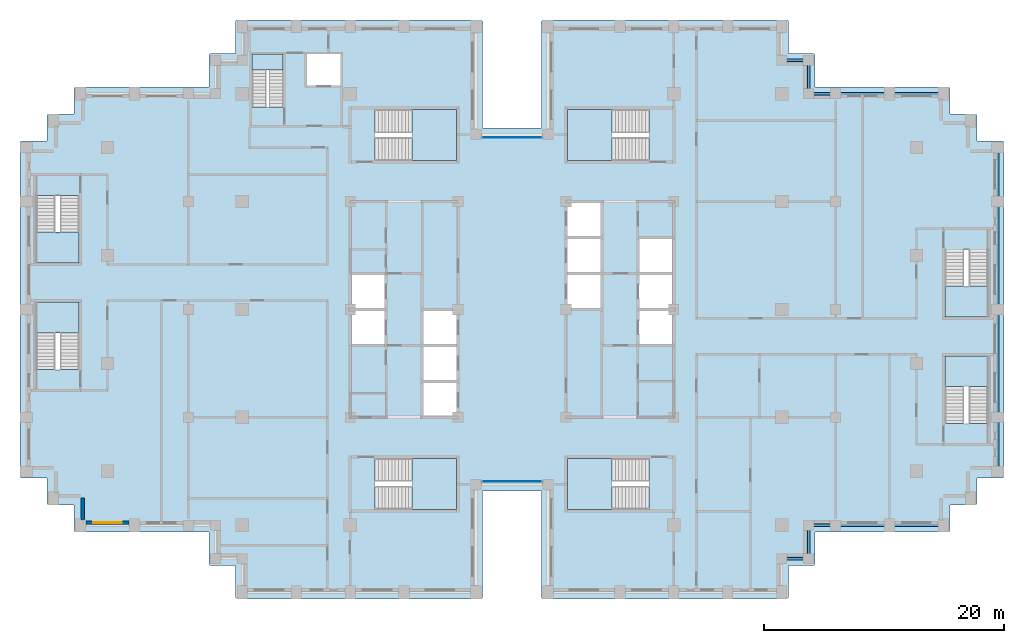
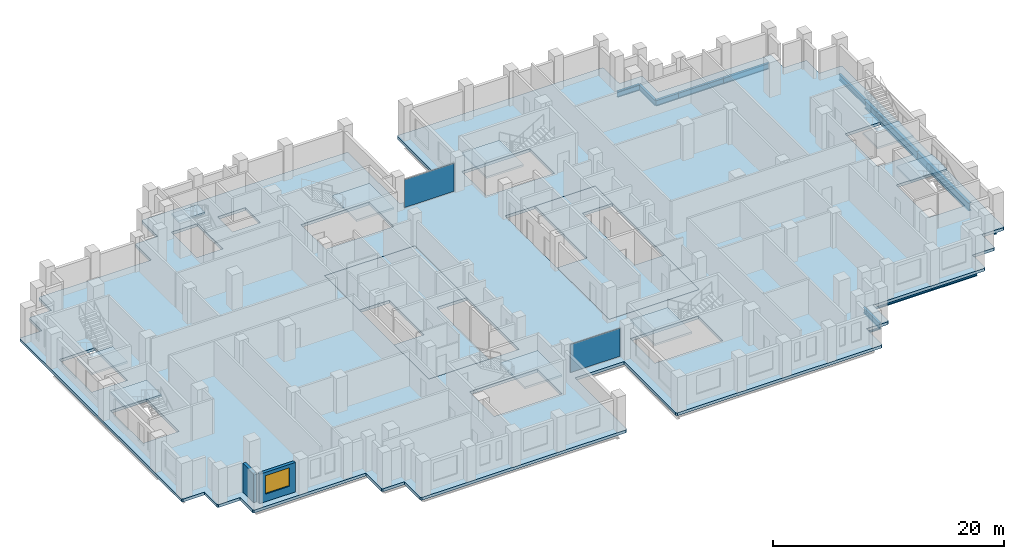
# One storey, part 5 of 15: 14 beams, 12 slabs, 2 plates, 2 walls, 1 window, 1 opening, 11 elements without a shape of their own.
"""IFC4 building model written with IfcOpenShell, lengths in metres."""

from ifc_helpers import new_model, si_unit, direction, frame, frame_2d, origin, origin_2d, place, context, subcontext, project, spatial, polyline, rectangle, i_section, outline, extrude, material, layer, layer_set, material_profile, profile_set, type_object, element, fill, aggregate, save


model = new_model("IFC4")

# Units and contexts
model_context = context("Model", 3, precision=1e-05, world=origin(), true_north=direction((0.0, 1.0)))
body_context = subcontext(model_context, "Body", "Model", "MODEL_VIEW")
ifc_project = project(units=[si_unit("LENGTHUNIT", "METRE"), si_unit("AREAUNIT", "SQUARE_METRE"), si_unit("VOLUMEUNIT", "CUBIC_METRE"), si_unit("PLANEANGLEUNIT", "RADIAN"), si_unit("MASSUNIT", "GRAM", prefix="KILO")], contexts=[model_context])

# Site, building, storey
site_placement = place(None, origin())
site = spatial("IfcSite", under=ifc_project, at=site_placement, CompositionType="ELEMENT")
building_placement = place(site_placement, origin())
building = spatial("IfcBuilding", under=site, at=building_placement, Name="Corbelhall Arena Tower", CompositionType="ELEMENT")
storey_placement = place(building_placement, frame((0.0, 0.0, 138.0)))
storey = spatial("IfcBuildingStorey", under=building, at=storey_placement, Name="L26", CompositionType="ELEMENT", Elevation=138.0)

# Beams
ifc_material_1 = material(Name="Steel ASTM A992 Gr50", Category="steel")
ifc_material_profile_1 = material_profile(ifc_material_1, i_section(OverallWidth=0.22900390625, OverallDepth=0.612060546875, WebThickness=0.011962890625, FlangeThickness=0.01953125, at=origin_2d()))
ifc_profile_set_1 = profile_set([ifc_material_profile_1], Name="Steel ASTM A992 Gr50")
beam_type_1 = type_object("IfcBeamType", Name="ST-SPANDREL-W24x84", PredefinedType="SPANDREL", material=ifc_profile_set_1)
for number, where, z_axis, x_axis, name in (
    (1, (40.5, 13.5, -0.60595703125), (0.0, -1.0, 0.0), (1.0, 0.0, 0.0), "Beam SP 10"),
    (2, (40.5, -9.0, -0.60595703125), (0.0, -1.0, 0.0), (1.0, 0.0, 0.0), "Beam SP 11"),
    (3, (31.5, 18.0, -0.60595703125), (1.0, 0.0, 0.0), (0.0, 1.0, 0.0), "Beam SP 12"),
    (4, (31.5, -18.0, -0.60595703125), (-1.0, 0.0, 0.0), (0.0, -1.0, 0.0), "Beam SP 13"),
    (5, (36.0, -18.0, -0.60595703125), (-1.0, 0.0, 0.0), (0.0, -1.0, 0.0), "Beam SP 14"),
    (6, (27.0, 18.0, -0.60595703125), (1.0, 0.0, 0.0), (0.0, 1.0, 0.0), "Beam SP 15"),
):
    element("IfcBeam", number, at=place(storey_placement, frame(where, z_axis=z_axis, x_axis=x_axis)), inside=storey, type_object=beam_type_1, Name=name, PredefinedType="SPANDREL", context=body_context, shape_type="SweptSolid", body=[
        extrude(i_section(OverallWidth=0.22900390625, OverallDepth=0.612060546875, WebThickness=0.011962890625, FlangeThickness=0.01953125, at=origin_2d()), origin(), (0.0, 0.0, 1.0), 4.5),
    ])
for number, where, z_axis, x_axis, name in (
    (7, (27.0, -18.0, -0.60595703125), (-1.0, 0.0, 0.0), (0.0, -1.0, 0.0), "Beam SP 16"),
    (8, (22.5, 20.800048828125, -0.60595703125), (1.0, 0.0, 0.0), (0.0, 1.0, 0.0), "Beam SP 43"),
):
    element("IfcBeam", number, at=place(storey_placement, frame(where, z_axis=z_axis, x_axis=x_axis)), inside=storey, type_object=beam_type_1, Name=name, PredefinedType="SPANDREL", context=body_context, shape_type="SweptSolid", body=[
        extrude(i_section(OverallWidth=0.22900390625, OverallDepth=0.612060546875, WebThickness=0.011962890625, FlangeThickness=0.01953125, at=origin_2d()), origin(), (0.0, 0.0, 1.0), 2.25),
    ])
beam_1_placement = place(storey_placement, frame((24.75, 20.800048828125, -0.60595703125), z_axis=(0.0, -1.0, 0.0), x_axis=(1.0, 0.0, 0.0)))
element("IfcBeam", 9, at=beam_1_placement, inside=storey, type_object=beam_type_1, Name="Beam SP 44", PredefinedType="SPANDREL", context=body_context, shape_type="SweptSolid", body=[
    extrude(i_section(OverallWidth=0.22900390625, OverallDepth=0.612060546875, WebThickness=0.011962890625, FlangeThickness=0.01953125, at=origin_2d()), origin(), (0.0, 0.0, 1.0), 2.800048828125),
])
for number, where, z_axis, x_axis, name in (
    (10, (24.75, 18.0, -0.60595703125), (1.0, 0.0, 0.0), (0.0, 1.0, 0.0), "Beam SP 45"),
    (11, (24.75, -20.800048828125, -0.60595703125), (-1.0, 0.0, 0.0), (0.0, -1.0, 0.0), "Beam SP 50"),
):
    element("IfcBeam", number, at=place(storey_placement, frame(where, z_axis=z_axis, x_axis=x_axis)), inside=storey, type_object=beam_type_1, Name=name, PredefinedType="SPANDREL", context=body_context, shape_type="SweptSolid", body=[
        extrude(i_section(OverallWidth=0.22900390625, OverallDepth=0.612060546875, WebThickness=0.011962890625, FlangeThickness=0.01953125, at=origin_2d()), origin(), (0.0, 0.0, 1.0), 2.25),
    ])
beam_2_placement = place(storey_placement, frame((24.75, -18.0, -0.60595703125), z_axis=(0.0, -1.0, 0.0), x_axis=(1.0, 0.0, 0.0)))
element("IfcBeam", 12, at=beam_2_placement, inside=storey, type_object=beam_type_1, Name="Beam SP 51", PredefinedType="SPANDREL", context=body_context, shape_type="SweptSolid", body=[
    extrude(i_section(OverallWidth=0.22900390625, OverallDepth=0.612060546875, WebThickness=0.011962890625, FlangeThickness=0.01953125, at=origin_2d()), origin(), (0.0, 0.0, 1.0), 2.800048828125),
])
ifc_material_profile_2 = material_profile(ifc_material_1, i_section(OverallWidth=0.2919921875, OverallDepth=0.845703125, WebThickness=0.015380859375, FlangeThickness=0.0244140625, at=origin_2d()))
ifc_profile_set_2 = profile_set([ifc_material_profile_2], Name="Steel ASTM A992 Gr50")
beam_type_2 = type_object("IfcBeamType", Name="ST-SPANDREL-W33x141", PredefinedType="SPANDREL", material=ifc_profile_set_2)
for number, where, z_axis, x_axis, name in (
    (13, (40.5, 0.0, -0.722900390625), (0.0, -1.0, 0.0), (1.0, 0.0, 0.0), "Beam SP 8"),
    (14, (40.5, 9.0, -0.722900390625), (0.0, -1.0, 0.0), (1.0, 0.0, 0.0), "Beam SP 9"),
):
    element("IfcBeam", number, at=place(storey_placement, frame(where, z_axis=z_axis, x_axis=x_axis)), inside=storey, type_object=beam_type_2, Name=name, PredefinedType="SPANDREL", context=body_context, shape_type="SweptSolid", body=[
        extrude(i_section(OverallWidth=0.2919921875, OverallDepth=0.845703125, WebThickness=0.015380859375, FlangeThickness=0.0244140625, at=origin_2d()), origin(), (0.0, 0.0, 1.0), 9.0),
    ])

# Curtain wall, plate
ifc_material_2 = material(Name="Aluminium black anodised", Category="aluminium")
ifc_layer_1 = layer(ifc_material_2, 0.199951171875)
ifc_layer_set_1 = layer_set([ifc_layer_1], Name="EV-CW1 Slot back wall")
curtain_wall_type = type_object("IfcCurtainWallType", Name="EV-CW1 Slot back wall", PredefinedType="NOTDEFINED", material=ifc_layer_set_1)
curtain_wall_1_placement = place(storey_placement, origin())
curtain_wall_1 = element("IfcCurtainWall", 15, at=curtain_wall_1_placement, inside=storey, type_object=curtain_wall_type, Name="Curtain wall CW1", PredefinedType="NOTDEFINED")
ifc_material_3 = material(Name="Glass dark tinted laminated", Category="glass")
ifc_layer_2 = layer(ifc_material_3, 0.028076171875)
ifc_layer_set_2 = layer_set([ifc_layer_2], Name="EV-CW1-PANEL")
plate_type = type_object("IfcPlateType", Name="EV-CW1-PANEL", PredefinedType="CURTAIN_PANEL", material=ifc_layer_set_2)
plate_1_placement = place(storey_placement, frame((0.0, -14.35009765625, 0.0751953125), z_axis=(0.0, 0.0, 1.0), x_axis=(1.0, 0.0, 0.0)))
plate_1 = element("IfcPlate", 16, at=plate_1_placement, type_object=plate_type, Name="CW1 panel 1.1", PredefinedType="CURTAIN_PANEL", context=body_context, shape_type="SweptSolid", body=[
    extrude(rectangle(XDim=4.949951171875, YDim=0.028076171875, at=origin_2d()), origin(), (0.0, 0.0, 1.0), 2.949951171875),
])
aggregate(curtain_wall_1, [plate_1])

curtain_wall_2_placement = place(storey_placement, origin())
curtain_wall_2 = element("IfcCurtainWall", 17, at=curtain_wall_2_placement, inside=storey, type_object=curtain_wall_type, Name="Curtain wall CW1", PredefinedType="NOTDEFINED")
plate_2_placement = place(storey_placement, frame((0.0, 14.35009765625, 0.0751953125), z_axis=(0.0, 0.0, 1.0), x_axis=(-1.0, 0.0, 0.0)))
plate_2 = element("IfcPlate", 18, at=plate_2_placement, type_object=plate_type, Name="CW1 panel 1.1", PredefinedType="CURTAIN_PANEL", context=body_context, shape_type="SweptSolid", body=[
    extrude(rectangle(XDim=4.949951171875, YDim=0.028076171875, at=origin_2d()), origin(), (0.0, 0.0, 1.0), 2.949951171875),
])
aggregate(curtain_wall_2, [plate_2])

# Slabs
ifc_material_4 = material(Name="Concrete C40/50", Category="concrete")
ifc_layer_3 = layer(ifc_material_4, 0.300048828125)
ifc_layer_set_3 = layer_set([ifc_layer_3], Name="IN-SL-CORE")
slab_type_1 = type_object("IfcSlabType", Name="IN-SL-CORE", PredefinedType="FLOOR", material=ifc_layer_set_3)
slab_1_placement = place(storey_placement, frame((0.0, 0.0, -0.300048828125)))
element("IfcSlab", 19, at=slab_1_placement, inside=storey, type_object=slab_type_1, Name="Core floor W", PredefinedType="FLOOR", context=body_context, shape_type="SweptSolid", body=[
    extrude(outline(polyline([(-7.5, 0.0), (-4.5, 0.0), (-4.5, 9.0), (-13.5, 9.0), (-13.5, 3.0), (-10.5, 3.0), (-10.5, 0.0), (-10.5, -3.0), (-13.5, -3.0), (-13.5, -9.0), (-7.5, -9.0), (-7.5, -6.0), (-7.5, -3.0), (-7.5, 0.0)])), origin(), (0.0, 0.0, 1.0), 0.300048828125),
])
slab_2_placement = place(storey_placement, frame((0.0, 0.0, -0.300048828125)))
element("IfcSlab", 20, at=slab_2_placement, inside=storey, type_object=slab_type_1, Name="Core floor E", PredefinedType="FLOOR", context=body_context, shape_type="SweptSolid", body=[
    extrude(outline(polyline([(7.5, 0.0), (4.5, 0.0), (4.5, -9.0), (13.5, -9.0), (13.5, -3.0), (10.5, -3.0), (10.5, 0.0), (10.5, 3.0), (10.5, 6.0), (13.5, 6.0), (13.5, 9.0), (7.5, 9.0), (7.5, 6.0), (7.5, 3.0), (7.5, 0.0)])), origin(), (0.0, 0.0, 1.0), 0.300048828125),
])

# Stair, slab
stair_type = type_object("IfcStairType", Name="IN-ST-TOWER", PredefinedType="HALF_TURN_STAIR", material=ifc_material_4)
stair_1_placement = place(storey_placement, origin())
stair_1 = element("IfcStair", 21, at=stair_1_placement, inside=storey, type_object=stair_type, Name="L26 Exit stair ST1", PredefinedType="HALF_TURN_STAIR")
ifc_layer_4 = layer(ifc_material_4, 0.199951171875)
ifc_layer_set_4 = layer_set([ifc_layer_4], Name="IN-SL-LANDING")
slab_type_2 = type_object("IfcSlabType", Name="IN-SL-LANDING", PredefinedType="LANDING", material=ifc_layer_set_4)
slab_3_placement = place(storey_placement, frame((0.0, 0.0, 1.800048828125)))
slab_3 = element("IfcSlab", 22, at=slab_3_placement, type_object=slab_type_2, Name="ST1 landing 1", PredefinedType="LANDING", context=body_context, shape_type="SweptSolid", body=[
    extrude(outline(polyline([(-8.344970703125, 12.425048828125), (-4.625, 12.425048828125), (-4.625, 16.675048828125), (-8.344970703125, 16.675048828125), (-8.344970703125, 12.425048828125)])), origin(), (0.0, 0.0, 1.0), 0.199951171875),
])
aggregate(stair_1, [slab_3])

stair_2_placement = place(storey_placement, origin())
stair_2 = element("IfcStair", 23, at=stair_2_placement, inside=storey, type_object=stair_type, Name="L26 Exit stair ST2", PredefinedType="HALF_TURN_STAIR")
slab_4_placement = place(storey_placement, frame((0.0, 0.0, 1.800048828125)))
slab_4 = element("IfcSlab", 24, at=slab_4_placement, type_object=slab_type_2, Name="ST2 landing 1", PredefinedType="LANDING", context=body_context, shape_type="SweptSolid", body=[
    extrude(outline(polyline([(-8.344970703125, -16.675048828125), (-4.625, -16.675048828125), (-4.625, -12.425048828125), (-8.344970703125, -12.425048828125), (-8.344970703125, -16.675048828125)])), origin(), (0.0, 0.0, 1.0), 0.199951171875),
])
aggregate(stair_2, [slab_4])

stair_3_placement = place(storey_placement, origin())
stair_3 = element("IfcStair", 25, at=stair_3_placement, inside=storey, type_object=stair_type, Name="L26 Exit stair ST3", PredefinedType="HALF_TURN_STAIR")
slab_5_placement = place(storey_placement, frame((0.0, 0.0, 1.800048828125)))
slab_5 = element("IfcSlab", 26, at=slab_5_placement, type_object=slab_type_2, Name="ST3 landing 1", PredefinedType="LANDING", context=body_context, shape_type="SweptSolid", body=[
    extrude(outline(polyline([(8.344970703125, 16.675048828125), (4.625, 16.675048828125), (4.625, 12.425048828125), (8.344970703125, 12.425048828125), (8.344970703125, 16.675048828125)])), origin(), (0.0, 0.0, 1.0), 0.199951171875),
])
aggregate(stair_3, [slab_5])

stair_4_placement = place(storey_placement, origin())
stair_4 = element("IfcStair", 27, at=stair_4_placement, inside=storey, type_object=stair_type, Name="L26 Exit stair ST4", PredefinedType="HALF_TURN_STAIR")
slab_6_placement = place(storey_placement, frame((0.0, 0.0, 1.800048828125)))
slab_6 = element("IfcSlab", 28, at=slab_6_placement, type_object=slab_type_2, Name="ST4 landing 1", PredefinedType="LANDING", context=body_context, shape_type="SweptSolid", body=[
    extrude(outline(polyline([(8.344970703125, -12.425048828125), (4.625, -12.425048828125), (4.625, -16.675048828125), (8.344970703125, -16.675048828125), (8.344970703125, -12.425048828125)])), origin(), (0.0, 0.0, 1.0), 0.199951171875),
])
aggregate(stair_4, [slab_6])

stair_5_placement = place(storey_placement, origin())
stair_5 = element("IfcStair", 29, at=stair_5_placement, inside=storey, type_object=stair_type, Name="L26 Exit stair SC1", PredefinedType="HALF_TURN_STAIR")
slab_7_placement = place(storey_placement, frame((0.0, 0.0, 1.800048828125)))
slab_7 = element("IfcSlab", 30, at=slab_7_placement, type_object=slab_type_2, Name="SC1 landing 1", PredefinedType="LANDING", context=body_context, shape_type="SweptSolid", body=[
    extrude(outline(polyline([(-39.699951171875, 6.445068359375), (-39.699951171875, 3.875), (-36.125, 3.875), (-36.125, 6.445068359375), (-39.699951171875, 6.445068359375)])), origin(), (0.0, 0.0, 1.0), 0.199951171875),
])
aggregate(stair_5, [slab_7])

stair_6_placement = place(storey_placement, origin())
stair_6 = element("IfcStair", 31, at=stair_6_placement, inside=storey, type_object=stair_type, Name="L26 Exit stair SC2", PredefinedType="HALF_TURN_STAIR")
slab_8_placement = place(storey_placement, frame((0.0, 0.0, 1.800048828125)))
slab_8 = element("IfcSlab", 32, at=slab_8_placement, type_object=slab_type_2, Name="SC2 landing 1", PredefinedType="LANDING", context=body_context, shape_type="SweptSolid", body=[
    extrude(outline(polyline([(-36.125, -1.945068359375), (-36.125, 0.625), (-39.699951171875, 0.625), (-39.699951171875, -1.945068359375), (-36.125, -1.945068359375)])), origin(), (0.0, 0.0, 1.0), 0.199951171875),
])
aggregate(stair_6, [slab_8])

stair_7_placement = place(storey_placement, origin())
stair_7 = element("IfcStair", 33, at=stair_7_placement, inside=storey, type_object=stair_type, Name="L26 Exit stair SD1", PredefinedType="HALF_TURN_STAIR")
slab_9_placement = place(storey_placement, frame((0.0, 0.0, 1.800048828125)))
slab_9 = element("IfcSlab", 34, at=slab_9_placement, type_object=slab_type_2, Name="SD1 landing 1", PredefinedType="LANDING", context=body_context, shape_type="SweptSolid", body=[
    extrude(outline(polyline([(39.699951171875, -6.445068359375), (39.699951171875, -3.875), (36.125, -3.875), (36.125, -6.445068359375), (39.699951171875, -6.445068359375)])), origin(), (0.0, 0.0, 1.0), 0.199951171875),
])
aggregate(stair_7, [slab_9])

stair_8_placement = place(storey_placement, origin())
stair_8 = element("IfcStair", 35, at=stair_8_placement, inside=storey, type_object=stair_type, Name="L26 Exit stair SD2", PredefinedType="HALF_TURN_STAIR")
slab_10_placement = place(storey_placement, frame((0.0, 0.0, 1.800048828125)))
slab_10 = element("IfcSlab", 36, at=slab_10_placement, type_object=slab_type_2, Name="SD2 landing 1", PredefinedType="LANDING", context=body_context, shape_type="SweptSolid", body=[
    extrude(outline(polyline([(36.125, 1.945068359375), (36.125, -0.625), (39.699951171875, -0.625), (39.699951171875, 1.945068359375), (36.125, 1.945068359375)])), origin(), (0.0, 0.0, 1.0), 0.199951171875),
])
aggregate(stair_8, [slab_10])

stair_9_placement = place(storey_placement, origin())
stair_9 = element("IfcStair", 37, at=stair_9_placement, inside=storey, type_object=stair_type, Name="L26 Exit stair ST5", PredefinedType="HALF_TURN_STAIR")
slab_11_placement = place(storey_placement, frame((0.0, 0.0, 1.800048828125)))
slab_11 = element("IfcSlab", 38, at=slab_11_placement, type_object=slab_type_2, Name="ST5 landing 1", PredefinedType="LANDING", context=body_context, shape_type="SweptSolid", body=[
    extrude(outline(polyline([(-19.094970703125, 19.97998046875), (-19.094970703125, 21.300048828125), (-21.695068359375, 21.300048828125), (-21.695068359375, 19.97998046875), (-19.094970703125, 19.97998046875)])), origin(), (0.0, 0.0, 1.0), 0.199951171875),
])
aggregate(stair_9, [slab_11])

# Slab
ifc_layer_5 = layer(ifc_material_4, 0.300048828125)
ifc_layer_set_5 = layer_set([ifc_layer_5], Name="ST-SLAB-FLOOR-300")
slab_type_3 = type_object("IfcSlabType", Name="ST-SLAB-FLOOR-300", PredefinedType="FLOOR", material=ifc_layer_set_5)
slab_12_placement = place(storey_placement, frame((0.0, 0.0, -0.300048828125)))
element("IfcSlab", 39, at=slab_12_placement, inside=storey, type_object=slab_type_3, Name="Floor slab L26 1", PredefinedType="FLOOR", context=body_context, shape_type="SweptSolid", body=[
    extrude(outline(polyline([(25.300048828125, 18.550048828125), (25.300048828125, 21.25), (25.199951171875, 21.35009765625), (23.050048828125, 21.35009765625), (23.050048828125, 24.050048828125), (22.949951171875, 24.14990234375), (2.550048828125, 24.14990234375), (2.449951171875, 24.050048828125), (2.449951171875, 15.14990234375), (-2.449951171875, 15.14990234375), (-2.449951171875, 24.050048828125), (-2.550048828125, 24.14990234375), (-22.949951171875, 24.14990234375), (-23.050048828125, 24.050048828125), (-23.050048828125, 21.35009765625), (-25.199951171875, 21.35009765625), (-25.300048828125, 21.25), (-25.300048828125, 18.550048828125), (-36.449951171875, 18.550048828125), (-36.550048828125, 18.449951171875), (-36.550048828125, 16.300048828125), (-38.699951171875, 16.300048828125), (-38.800048828125, 16.199951171875), (-38.800048828125, 14.050048828125), (-40.949951171875, 14.050048828125), (-41.050048828125, 13.949951171875), (-41.050048828125, -13.949951171875), (-40.949951171875, -14.050048828125), (-38.800048828125, -14.050048828125), (-38.800048828125, -16.199951171875), (-38.699951171875, -16.300048828125), (-36.550048828125, -16.300048828125), (-36.550048828125, -18.449951171875), (-36.449951171875, -18.550048828125), (-25.300048828125, -18.550048828125), (-25.300048828125, -21.25), (-25.199951171875, -21.35009765625), (-23.050048828125, -21.35009765625), (-23.050048828125, -24.050048828125), (-22.949951171875, -24.14990234375), (-2.550048828125, -24.14990234375), (-2.449951171875, -24.050048828125), (-2.449951171875, -15.14990234375), (2.449951171875, -15.14990234375), (2.449951171875, -24.050048828125), (2.550048828125, -24.14990234375), (22.949951171875, -24.14990234375), (23.050048828125, -24.050048828125), (23.050048828125, -21.35009765625), (25.199951171875, -21.35009765625), (25.300048828125, -21.25), (25.300048828125, -18.550048828125), (36.449951171875, -18.550048828125), (36.550048828125, -18.449951171875), (36.550048828125, -16.300048828125), (38.699951171875, -16.300048828125), (38.800048828125, -16.199951171875), (38.800048828125, -14.050048828125), (40.949951171875, -14.050048828125), (41.050048828125, -13.949951171875), (41.050048828125, 13.949951171875), (40.949951171875, 14.050048828125), (38.800048828125, 14.050048828125), (38.800048828125, 16.199951171875), (38.699951171875, 16.300048828125), (36.550048828125, 16.300048828125), (36.550048828125, 18.449951171875), (36.449951171875, 18.550048828125), (25.300048828125, 18.550048828125)]), holes=[polyline([(-13.5, 9.0), (-13.5, -9.0), (-4.5, -9.0), (-4.5, 9.0), (-13.5, 9.0)]), polyline([(4.5, 9.0), (4.5, -9.0), (13.5, -9.0), (13.5, 9.0), (4.5, 9.0)]), polyline([(-4.625, 16.675048828125), (-11.422119140625, 16.675048828125), (-11.422119140625, 12.425048828125), (-4.625, 12.425048828125), (-4.625, 16.675048828125)]), polyline([(-4.625, -16.675048828125), (-4.625, -12.425048828125), (-11.422119140625, -12.425048828125), (-11.422119140625, -16.675048828125), (-4.625, -16.675048828125)]), polyline([(11.422119140625, 16.675048828125), (4.625, 16.675048828125), (4.625, 12.425048828125), (11.422119140625, 12.425048828125), (11.422119140625, 16.675048828125)]), polyline([(11.422119140625, -16.675048828125), (11.422119140625, -12.425048828125), (4.625, -12.425048828125), (4.625, -16.675048828125), (11.422119140625, -16.675048828125)]), polyline([(-36.125, 3.875), (-36.125, 9.52197265625), (-39.699951171875, 9.52197265625), (-39.699951171875, 3.875), (-36.125, 3.875)]), polyline([(-36.125, 0.625), (-39.699951171875, 0.625), (-39.699951171875, -5.02197265625), (-36.125, -5.02197265625), (-36.125, 0.625)]), polyline([(39.699951171875, -9.52197265625), (39.699951171875, -3.875), (36.125, -3.875), (36.125, -9.52197265625), (39.699951171875, -9.52197265625)]), polyline([(39.699951171875, 5.02197265625), (36.125, 5.02197265625), (36.125, -0.625), (39.699951171875, -0.625), (39.699951171875, 5.02197265625)]), polyline([(-21.695068359375, 21.300048828125), (-21.695068359375, 16.903076171875), (-19.094970703125, 16.903076171875), (-19.094970703125, 21.300048828125), (-21.695068359375, 21.300048828125)]), polyline([(-14.300048828125, 21.300048828125), (-17.10009765625, 21.300048828125), (-17.10009765625, 18.699951171875), (-14.300048828125, 18.699951171875), (-14.300048828125, 21.300048828125)])]), origin(), (0.0, 0.0, 1.0), 0.300048828125),
])

# Wall
ifc_material_5 = material(Name="Precast concrete C40/50 with granite facing", Category="masonry")
ifc_layer_6 = layer(ifc_material_5, 0.300048828125)
ifc_layer_set_6 = layer_set([ifc_layer_6], Name="EV-IW1 Infill panel 300")
wall_type = type_object("IfcWallType", Name="EV-IW1 Infill panel 300", PredefinedType="SOLIDWALL", material=ifc_layer_set_6)
wall_1_placement = place(storey_placement, frame((-35.800048828125, -17.550048828125, 0.0), z_axis=(0.0, 0.0, 1.0), x_axis=(0.0, 1.0, 0.0)))
element("IfcWall", 40, at=wall_1_placement, inside=storey, type_object=wall_type, Name="Infill panel IW1", PredefinedType="SOLIDWALL", context=body_context, shape_type="SweptSolid", body=[
    extrude(rectangle(XDim=1.800048828125, YDim=0.300048828125, at=frame_2d((0.89990234375, 0.0))), origin(), (0.0, 0.0, 1.0), 3.10009765625),
])

# Wall, opening, window
wall_2_placement = place(storey_placement, frame((-35.550048828125, -17.800048828125, 0.0), z_axis=(0.0, 0.0, 1.0), x_axis=(1.0, 0.0, 0.0)))
wall_2 = element("IfcWall", 41, at=wall_2_placement, inside=storey, type_object=wall_type, Name="Infill panel IW1", PredefinedType="SOLIDWALL", context=body_context, shape_type="SweptSolid", body=[
    extrude(rectangle(XDim=3.60009765625, YDim=0.300048828125, at=frame_2d((1.800048828125, 0.0))), origin(), (0.0, 0.0, 1.0), 3.10009765625),
])
opening_placement = place(wall_2_placement, frame((0.60009765625, 0.0, 0.800048828125)))
opening = element("IfcOpeningElement", 42, at=opening_placement, cuts=wall_2, Name="Opening WN1", PredefinedType="OPENING", context=body_context, shape_type="SweptSolid", body=[
    extrude(rectangle(XDim=2.39990234375, YDim=1.949951171875, at=frame_2d((1.199951171875, 0.97509765625))), frame((0.0, 0.14990234375, 0.0), z_axis=(0.0, -1.0, 0.0), x_axis=(1.0, 0.0, 0.0)), (0.0, 0.0, 1.0), 0.300048828125),
])
window_type = type_object("IfcWindowType", Name="EV-WN1 Office window", PartitioningType="SINGLE_PANEL", PredefinedType="WINDOW", material=ifc_material_2)
window_placement = place(opening_placement, origin())
window = element("IfcWindow", 43, at=window_placement, inside=storey, type_object=window_type, Name="Window WN1", OverallHeight=1.949951171875, OverallWidth=2.39990234375, PartitioningType="SINGLE_PANEL", PredefinedType="WINDOW", context=body_context, shape_type="SweptSolid", body=[
    extrude(rectangle(XDim=2.39990234375, YDim=1.949951171875, at=frame_2d((1.199951171875, 0.97509765625))), frame((0.0, 0.030029296875, 0.0), z_axis=(0.0, -1.0, 0.0), x_axis=(1.0, 0.0, 0.0)), (0.0, 0.0, 1.0), 0.06005859375),
])
fill(opening, window)

save(model, "model.ifc")
